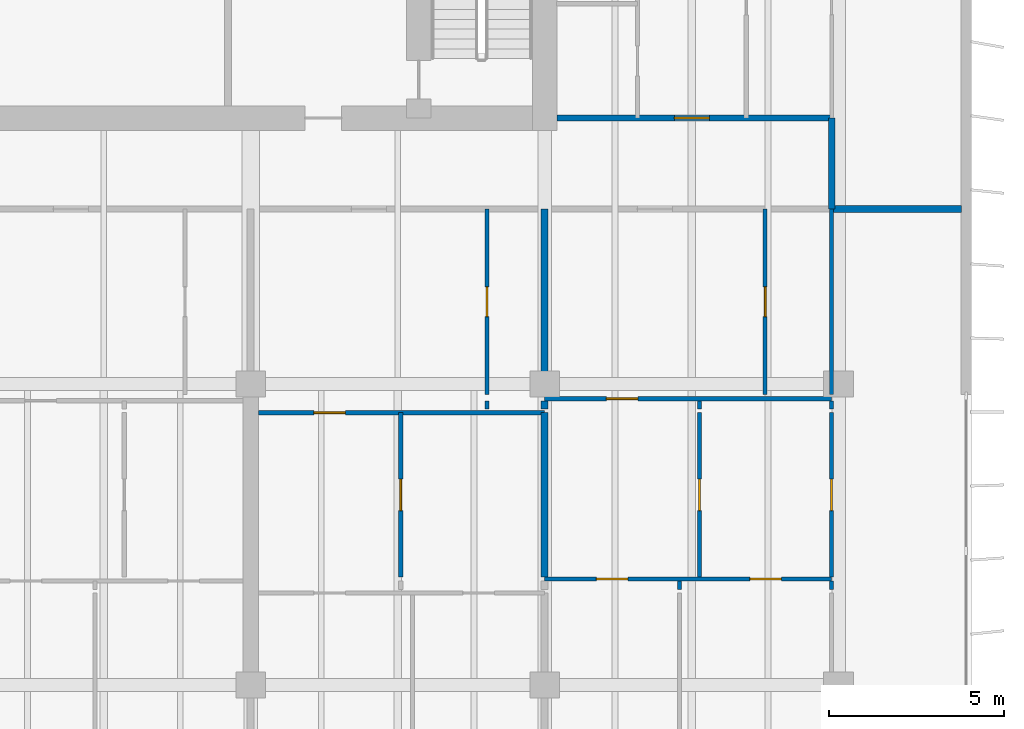
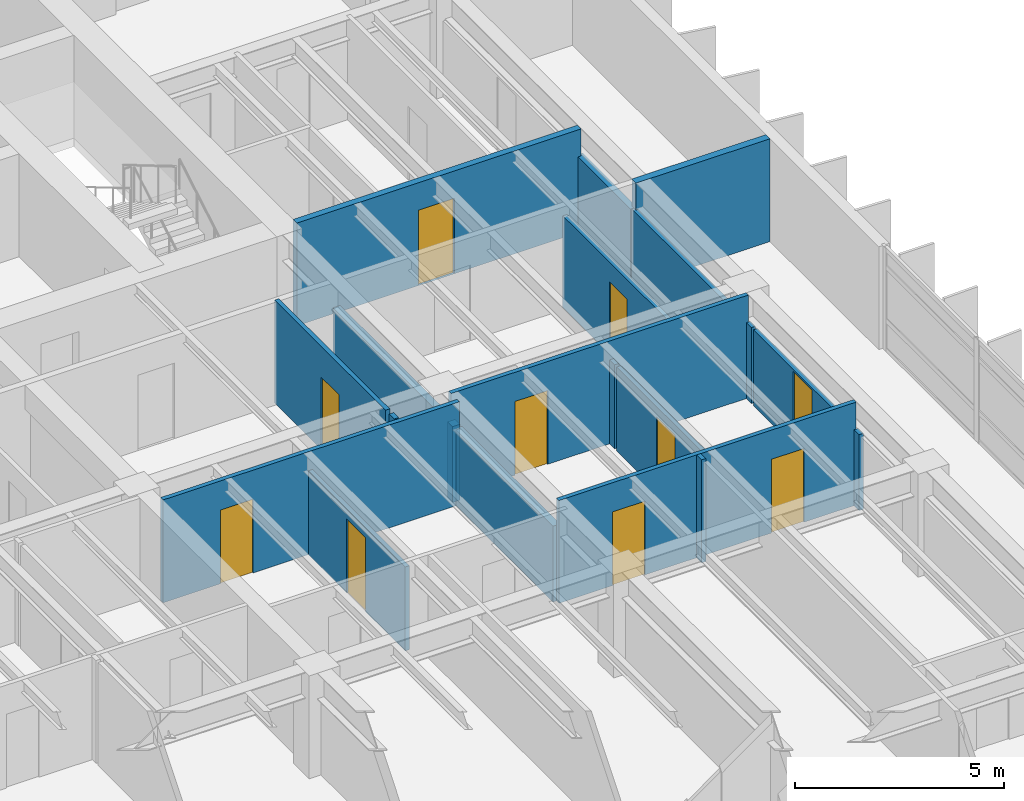
# One storey, part 12 of 19: 20 walls, 10 doors, 10 openings.
"""IFC4 building model written with IfcOpenShell, lengths in metres."""

from ifc_helpers import new_model, si_unit, direction, frame, frame_2d, origin, place, context, subcontext, project, spatial, rectangle, extrude, material, layer, layer_set, type_object, element, fill, save


model = new_model("IFC4")

# Units and contexts
model_context = context("Model", 3, precision=1e-05, world=origin(), true_north=direction((0.0, 1.0)))
body_context = subcontext(model_context, "Body", "Model", "MODEL_VIEW")
ifc_project = project(units=[si_unit("LENGTHUNIT", "METRE"), si_unit("AREAUNIT", "SQUARE_METRE"), si_unit("VOLUMEUNIT", "CUBIC_METRE"), si_unit("PLANEANGLEUNIT", "RADIAN"), si_unit("MASSUNIT", "GRAM", prefix="KILO")], contexts=[model_context])

# Site, building, storey
site_placement = place(None, origin())
site = spatial("IfcSite", under=ifc_project, at=site_placement, CompositionType="ELEMENT")
building_placement = place(site_placement, origin())
building = spatial("IfcBuilding", under=site, at=building_placement, Name="Caelmar Bay Residences", CompositionType="ELEMENT")
storey_placement = place(building_placement, frame((0.0, 0.0, 218.10009765625)))
storey = spatial("IfcBuildingStorey", under=building, at=storey_placement, Name="L61", CompositionType="ELEMENT", Elevation=218.10009765625)

# Wall
ifc_material_1 = material(Name="Double-stud acoustic fire-rated gypsum partition 180 mm")
ifc_layer_1 = layer(ifc_material_1, 0.179931640625)
ifc_layer_set_1 = layer_set([ifc_layer_1], Name="Double-stud acoustic fire-rated gypsum partition 180 mm")
wall_type_1 = type_object("IfcWallType", Name="W-COR-200", PredefinedType="PARTITIONING", material=ifc_layer_set_1)
wall_1_placement = place(storey_placement, frame((67.699951171875, 34.405029296875, 0.0), z_axis=(0.0, 0.0, 1.0), x_axis=(0.0, 1.0, 0.0)))
element("IfcWall", 1, at=wall_1_placement, inside=storey, type_object=wall_type_1, Name="L61 Partition Wall V101", PredefinedType="PARTITIONING", context=body_context, shape_type="SweptSolid", body=[
    extrude(rectangle(XDim=2.594970703125, YDim=0.179931640625, at=frame_2d((1.29736328125, 0.0))), origin(), (0.0, 0.0, 1.0), 2.212890625),
])

# Wall, opening, door
wall_2_placement = place(storey_placement, frame((59.85498046875, 37.0, 0.0), z_axis=(0.0, 0.0, 1.0), x_axis=(1.0, 0.0, 0.0)))
wall_2 = element("IfcWall", 2, at=wall_2_placement, inside=storey, type_object=wall_type_1, Name="L61 Partition Wall H131", PredefinedType="PARTITIONING", context=body_context, shape_type="SweptSolid", body=[
    extrude(rectangle(XDim=7.844970703125, YDim=0.179931640625, at=frame_2d((3.92236328125, 0.0))), origin(), (0.0, 0.0, 1.0), 3.0),
])
opening_1_placement = place(wall_2_placement, frame((3.34912109375, 0.0, 0.0)))
opening_1 = element("IfcOpeningElement", 3, at=opening_1_placement, cuts=wall_2, Name="Opening D-L61-178", PredefinedType="OPENING", context=body_context, shape_type="SweptSolid", body=[
    extrude(rectangle(XDim=1.0, YDim=2.199951171875, at=frame_2d((0.5, 1.10009765625))), frame((0.0, 0.099853515625, 0.0), z_axis=(0.0, -1.0, 0.0), x_axis=(1.0, 0.0, 0.0)), (0.0, 0.0, 1.0), 0.199951171875),
])
ifc_material_2 = material(Name="Fire-rated steel and walnut architectural door assembly", Category="steel")
ifc_layer_2 = layer(ifc_material_2, 0.050048828125)
ifc_layer_set_2 = layer_set([ifc_layer_2], Name="Fire-rated steel and walnut architectural door assembly")
door_type_1 = type_object("IfcDoorType", Name="D-UNIT-1000", OperationType="NOTDEFINED", PredefinedType="DOOR", material=ifc_layer_set_2)
door_1_placement = place(opening_1_placement, origin())
door_1 = element("IfcDoor", 4, at=door_1_placement, inside=storey, type_object=door_type_1, Name="L61 Residence EA Kitchen Door", OperationType="SINGLE_SWING_RIGHT", OverallHeight=2.199951171875, OverallWidth=1.0, PredefinedType="DOOR", context=body_context, shape_type="SweptSolid", body=[
    extrude(rectangle(XDim=1.0, YDim=2.199951171875, at=frame_2d((0.5, 1.10009765625))), frame((0.0, 0.02490234375, 0.0), z_axis=(0.0, -1.0, 0.0), x_axis=(1.0, 0.0, 0.0)), (0.0, 0.0, 1.0), 0.050048828125),
])
fill(opening_1, door_1)

ifc_material_3 = material(Name="Acoustic metal-stud gypsum partition 120 mm")
ifc_layer_3 = layer(ifc_material_3, 0.1201171875)
ifc_layer_set_3 = layer_set([ifc_layer_3], Name="Acoustic metal-stud gypsum partition 120 mm")
wall_type_2 = type_object("IfcWallType", Name="W-PRT-120", PredefinedType="PARTITIONING", material=ifc_layer_set_3)
wall_3_placement = place(storey_placement, frame((55.385986328125, 23.889892578125, 0.0), z_axis=(0.0, 0.0, 1.0), x_axis=(0.0, 1.0, 0.0)))
wall_3 = element("IfcWall", 5, at=wall_3_placement, inside=storey, type_object=wall_type_2, Name="L61 Partition Wall V076", PredefinedType="PARTITIONING", context=body_context, shape_type="SweptSolid", body=[
    extrude(rectangle(XDim=4.690185546875, YDim=0.1201171875, at=frame_2d((2.34521484375, 0.0))), origin(), (0.0, 0.0, 1.0), 2.448974609375),
])
opening_2_placement = place(wall_3_placement, frame((1.89501953125, 0.0, 0.0)))
opening_2 = element("IfcOpeningElement", 6, at=opening_2_placement, cuts=wall_3, Name="Opening D-L61-157", PredefinedType="OPENING", context=body_context, shape_type="SweptSolid", body=[
    extrude(rectangle(XDim=0.89990234375, YDim=2.14990234375, at=frame_2d((0.449951171875, 1.074951171875))), frame((0.0, 0.070068359375, 0.0), z_axis=(0.0, -1.0, 0.0), x_axis=(1.0, 0.0, 0.0)), (0.0, 0.0, 1.0), 0.14013671875),
])
ifc_material_4 = material(Name="Solid walnut timber interior door leaf and frame", Category="wood")
ifc_layer_4 = layer(ifc_material_4, 0.050048828125)
ifc_layer_set_4 = layer_set([ifc_layer_4], Name="Solid walnut timber interior door leaf and frame")
door_type_2 = type_object("IfcDoorType", Name="D-ROOM-900", OperationType="NOTDEFINED", PredefinedType="DOOR", material=ifc_layer_set_4)
door_2_placement = place(opening_2_placement, origin())
door_2 = element("IfcDoor", 7, at=door_2_placement, inside=storey, type_object=door_type_2, Name="L61 Residence 06 Curator Office Door", OperationType="SINGLE_SWING_LEFT", OverallHeight=2.14990234375, OverallWidth=0.89990234375, PredefinedType="DOOR", context=body_context, shape_type="SweptSolid", body=[
    extrude(rectangle(XDim=0.89990234375, YDim=2.14990234375, at=frame_2d((0.449951171875, 1.074951171875))), frame((0.0, 0.02490234375, 0.0), z_axis=(0.0, -1.0, 0.0), x_axis=(1.0, 0.0, 0.0)), (0.0, 0.0, 1.0), 0.050048828125),
])
fill(opening_2, door_2)

# Wall
wall_4_placement = place(storey_placement, frame((57.85009765625, 28.679931640625, 0.0), z_axis=(0.0, 0.0, 1.0), x_axis=(0.0, 1.0, 0.0)))
element("IfcWall", 8, at=wall_4_placement, inside=storey, type_object=wall_type_2, Name="L61 Partition Wall V080", PredefinedType="PARTITIONING", context=body_context, shape_type="SweptSolid", body=[
    extrude(rectangle(XDim=0.239990234375, YDim=0.1201171875, at=frame_2d((0.1201171875, 0.0))), origin(), (0.0, 0.0, 1.0), 3.0),
])

# Wall, opening, door
wall_5_placement = place(storey_placement, frame((57.85009765625, 29.10009765625, 0.0), z_axis=(0.0, 0.0, 1.0), x_axis=(0.0, 1.0, 0.0)))
wall_5 = element("IfcWall", 9, at=wall_5_placement, inside=storey, type_object=wall_type_2, Name="L61 Partition Wall V081", PredefinedType="PARTITIONING", context=body_context, shape_type="SweptSolid", body=[
    extrude(rectangle(XDim=5.2998046875, YDim=0.1201171875, at=frame_2d((2.64990234375, 0.0))), origin(), (0.0, 0.0, 1.0), 3.0),
])
opening_3_placement = place(wall_5_placement, frame((2.22509765625, 0.0, 0.0)))
opening_3 = element("IfcOpeningElement", 10, at=opening_3_placement, cuts=wall_5, Name="Opening D-L61-155", PredefinedType="OPENING", context=body_context, shape_type="SweptSolid", body=[
    extrude(rectangle(XDim=0.85009765625, YDim=2.10009765625, at=frame_2d((0.425048828125, 1.050048828125))), frame((0.0, 0.070068359375, 0.0), z_axis=(0.0, -1.0, 0.0), x_axis=(1.0, 0.0, 0.0)), (0.0, 0.0, 1.0), 0.14013671875),
])
ifc_layer_5 = layer(ifc_material_4, 0.050048828125)
ifc_layer_set_5 = layer_set([ifc_layer_5], Name="Solid walnut timber interior door leaf and frame")
door_type_3 = type_object("IfcDoorType", Name="D-BATH-850", OperationType="NOTDEFINED", PredefinedType="DOOR", material=ifc_layer_set_5)
door_3_placement = place(opening_3_placement, origin())
door_3 = element("IfcDoor", 11, at=door_3_placement, inside=storey, type_object=door_type_3, Name="L61 Residence 06 Bathroom Door", OperationType="SINGLE_SWING_LEFT", OverallHeight=2.10009765625, OverallWidth=0.85009765625, PredefinedType="DOOR", context=body_context, shape_type="SweptSolid", body=[
    extrude(rectangle(XDim=0.85009765625, YDim=2.10009765625, at=frame_2d((0.425048828125, 1.050048828125))), frame((0.0, 0.02490234375, 0.0), z_axis=(0.0, -1.0, 0.0), x_axis=(1.0, 0.0, 0.0)), (0.0, 0.0, 1.0), 0.050048828125),
])
fill(opening_3, door_3)

# Wall
wall_6_placement = place(storey_placement, frame((63.35400390625, 23.530029296875, 0.0), z_axis=(0.0, 0.0, 1.0), x_axis=(0.0, 1.0, 0.0)))
element("IfcWall", 12, at=wall_6_placement, inside=storey, type_object=wall_type_2, Name="L61 Partition Wall V091", PredefinedType="PARTITIONING", context=body_context, shape_type="SweptSolid", body=[
    extrude(rectangle(XDim=0.239990234375, YDim=0.1201171875, at=frame_2d((0.1201171875, 0.0))), origin(), (0.0, 0.0, 1.0), 3.0),
])

# Wall, opening, door
wall_7_placement = place(storey_placement, frame((63.927978515625, 23.889892578125, 0.0), z_axis=(0.0, 0.0, 1.0), x_axis=(0.0, 1.0, 0.0)))
wall_7 = element("IfcWall", 13, at=wall_7_placement, inside=storey, type_object=wall_type_2, Name="L61 Partition Wall V092", PredefinedType="PARTITIONING", context=body_context, shape_type="SweptSolid", body=[
    extrude(rectangle(XDim=4.690185546875, YDim=0.1201171875, at=frame_2d((2.34521484375, 0.0))), origin(), (0.0, 0.0, 1.0), 2.448974609375),
])
opening_4_placement = place(wall_7_placement, frame((1.89501953125, 0.0, 0.0)))
opening_4 = element("IfcOpeningElement", 14, at=opening_4_placement, cuts=wall_7, Name="Opening D-L61-164", PredefinedType="OPENING", context=body_context, shape_type="SweptSolid", body=[
    extrude(rectangle(XDim=0.89990234375, YDim=2.14990234375, at=frame_2d((0.449951171875, 1.074951171875))), frame((0.0, 0.070068359375, 0.0), z_axis=(0.0, -1.0, 0.0), x_axis=(1.0, 0.0, 0.0)), (0.0, 0.0, 1.0), 0.14013671875),
])
door_4_placement = place(opening_4_placement, origin())
door_4 = element("IfcDoor", 15, at=door_4_placement, inside=storey, type_object=door_type_2, Name="L61 Residence 07 Curator Office Door", OperationType="SINGLE_SWING_RIGHT", OverallHeight=2.14990234375, OverallWidth=0.89990234375, PredefinedType="DOOR", context=body_context, shape_type="SweptSolid", body=[
    extrude(rectangle(XDim=0.89990234375, YDim=2.14990234375, at=frame_2d((0.449951171875, 1.074951171875))), frame((0.0, 0.02490234375, 0.0), z_axis=(0.0, -1.0, 0.0), x_axis=(1.0, 0.0, 0.0)), (0.0, 0.0, 1.0), 0.050048828125),
])
fill(opening_4, door_4)

# Wall
wall_8_placement = place(storey_placement, frame((63.927978515625, 28.679931640625, 0.0), z_axis=(0.0, 0.0, 1.0), x_axis=(0.0, 1.0, 0.0)))
element("IfcWall", 16, at=wall_8_placement, inside=storey, type_object=wall_type_2, Name="L61 Partition Wall V093", PredefinedType="PARTITIONING", context=body_context, shape_type="SweptSolid", body=[
    extrude(rectangle(XDim=0.239990234375, YDim=0.1201171875, at=frame_2d((0.1201171875, 0.0))), origin(), (0.0, 0.0, 1.0), 2.448974609375),
])

# Wall, opening, door
wall_9_placement = place(storey_placement, frame((65.800048828125, 29.10009765625, 0.0), z_axis=(0.0, 0.0, 1.0), x_axis=(0.0, 1.0, 0.0)))
wall_9 = element("IfcWall", 17, at=wall_9_placement, inside=storey, type_object=wall_type_2, Name="L61 Partition Wall V095", PredefinedType="PARTITIONING", context=body_context, shape_type="SweptSolid", body=[
    extrude(rectangle(XDim=5.2998046875, YDim=0.1201171875, at=frame_2d((2.64990234375, 0.0))), origin(), (0.0, 0.0, 1.0), 2.6748046875),
])
opening_5_placement = place(wall_9_placement, frame((2.22509765625, 0.0, 0.0)))
opening_5 = element("IfcOpeningElement", 18, at=opening_5_placement, cuts=wall_9, Name="Opening D-L61-162", PredefinedType="OPENING", context=body_context, shape_type="SweptSolid", body=[
    extrude(rectangle(XDim=0.85009765625, YDim=2.10009765625, at=frame_2d((0.425048828125, 1.050048828125))), frame((0.0, 0.070068359375, 0.0), z_axis=(0.0, -1.0, 0.0), x_axis=(1.0, 0.0, 0.0)), (0.0, 0.0, 1.0), 0.14013671875),
])
door_5_placement = place(opening_5_placement, origin())
door_5 = element("IfcDoor", 19, at=door_5_placement, inside=storey, type_object=door_type_3, Name="L61 Residence 07 Bathroom Door", OperationType="SINGLE_SWING_RIGHT", OverallHeight=2.10009765625, OverallWidth=0.85009765625, PredefinedType="DOOR", context=body_context, shape_type="SweptSolid", body=[
    extrude(rectangle(XDim=0.85009765625, YDim=2.10009765625, at=frame_2d((0.425048828125, 1.050048828125))), frame((0.0, 0.02490234375, 0.0), z_axis=(0.0, -1.0, 0.0), x_axis=(1.0, 0.0, 0.0)), (0.0, 0.0, 1.0), 0.050048828125),
])
fill(opening_5, door_5)

# Wall
wall_10_placement = place(storey_placement, frame((67.699951171875, 23.530029296875, 0.0), z_axis=(0.0, 0.0, 1.0), x_axis=(0.0, 1.0, 0.0)))
element("IfcWall", 20, at=wall_10_placement, inside=storey, type_object=wall_type_2, Name="L61 Partition Wall V097", PredefinedType="PARTITIONING", context=body_context, shape_type="SweptSolid", body=[
    extrude(rectangle(XDim=0.239990234375, YDim=0.1201171875, at=frame_2d((0.1201171875, 0.0))), origin(), (0.0, 0.0, 1.0), 2.212890625),
])

# Wall, opening, door
wall_11_placement = place(storey_placement, frame((67.699951171875, 23.889892578125, 0.0), z_axis=(0.0, 0.0, 1.0), x_axis=(0.0, 1.0, 0.0)))
wall_11 = element("IfcWall", 21, at=wall_11_placement, inside=storey, type_object=wall_type_2, Name="L61 Partition Wall V098", PredefinedType="PARTITIONING", context=body_context, shape_type="SweptSolid", body=[
    extrude(rectangle(XDim=4.690185546875, YDim=0.1201171875, at=frame_2d((2.34521484375, 0.0))), origin(), (0.0, 0.0, 1.0), 2.212890625),
])
opening_6_placement = place(wall_11_placement, frame((1.89501953125, 0.0, 0.0)))
opening_6 = element("IfcOpeningElement", 22, at=opening_6_placement, cuts=wall_11, Name="Opening D-L61-169", PredefinedType="OPENING", context=body_context, shape_type="SweptSolid", body=[
    extrude(rectangle(XDim=0.89990234375, YDim=2.14990234375, at=frame_2d((0.449951171875, 1.074951171875))), frame((0.0, 0.070068359375, 0.0), z_axis=(0.0, -1.0, 0.0), x_axis=(1.0, 0.0, 0.0)), (0.0, 0.0, 1.0), 0.14013671875),
])
door_6_placement = place(opening_6_placement, origin())
door_6 = element("IfcDoor", 23, at=door_6_placement, inside=storey, type_object=door_type_2, Name="L61 Residence 07 Penthouse East Salon Door", OperationType="SINGLE_SWING_LEFT", OverallHeight=2.14990234375, OverallWidth=0.89990234375, PredefinedType="DOOR", context=body_context, shape_type="SweptSolid", body=[
    extrude(rectangle(XDim=0.89990234375, YDim=2.14990234375, at=frame_2d((0.449951171875, 1.074951171875))), frame((0.0, 0.02490234375, 0.0), z_axis=(0.0, -1.0, 0.0), x_axis=(1.0, 0.0, 0.0)), (0.0, 0.0, 1.0), 0.050048828125),
])
fill(opening_6, door_6)

# Walls
wall_12_placement = place(storey_placement, frame((67.699951171875, 28.679931640625, 0.0), z_axis=(0.0, 0.0, 1.0), x_axis=(0.0, 1.0, 0.0)))
element("IfcWall", 24, at=wall_12_placement, inside=storey, type_object=wall_type_2, Name="L61 Partition Wall V099", PredefinedType="PARTITIONING", context=body_context, shape_type="SweptSolid", body=[
    extrude(rectangle(XDim=0.239990234375, YDim=0.1201171875, at=frame_2d((0.1201171875, 0.0))), origin(), (0.0, 0.0, 1.0), 2.212890625),
])
wall_13_placement = place(storey_placement, frame((67.699951171875, 29.10009765625, 0.0), z_axis=(0.0, 0.0, 1.0), x_axis=(0.0, 1.0, 0.0)))
element("IfcWall", 25, at=wall_13_placement, inside=storey, type_object=wall_type_2, Name="L61 Partition Wall V100", PredefinedType="PARTITIONING", context=body_context, shape_type="SweptSolid", body=[
    extrude(rectangle(XDim=5.2998046875, YDim=0.1201171875, at=frame_2d((2.64990234375, 0.0))), origin(), (0.0, 0.0, 1.0), 2.212890625),
])

# Wall, openings, doors
wall_14_placement = place(storey_placement, frame((59.5, 23.830078125, 0.0), z_axis=(0.0, 0.0, 1.0), x_axis=(1.0, 0.0, 0.0)))
wall_14 = element("IfcWall", 26, at=wall_14_placement, inside=storey, type_object=wall_type_2, Name="L61 Partition Wall H116", PredefinedType="PARTITIONING", context=body_context, shape_type="SweptSolid", body=[
    extrude(rectangle(XDim=8.199951171875, YDim=0.1201171875, at=frame_2d((4.10009765625, 0.0))), origin(), (0.0, 0.0, 1.0), 3.0),
])
opening_7_placement = place(wall_14_placement, frame((1.47705078125, 0.0, 0.0)))
opening_7 = element("IfcOpeningElement", 27, at=opening_7_placement, cuts=wall_14, Name="Opening D-L61-165", PredefinedType="OPENING", context=body_context, shape_type="SweptSolid", body=[
    extrude(rectangle(XDim=0.89990234375, YDim=2.14990234375, at=frame_2d((0.449951171875, 1.074951171875))), frame((0.0, 0.070068359375, 0.0), z_axis=(0.0, -1.0, 0.0), x_axis=(1.0, 0.0, 0.0)), (0.0, 0.0, 1.0), 0.14013671875),
])
opening_8_placement = place(wall_14_placement, frame((5.864013671875, 0.0, 0.0)))
opening_8 = element("IfcOpeningElement", 28, at=opening_8_placement, cuts=wall_14, Name="Opening D-L61-166", PredefinedType="OPENING", context=body_context, shape_type="SweptSolid", body=[
    extrude(rectangle(XDim=0.89990234375, YDim=2.14990234375, at=frame_2d((0.449951171875, 1.074951171875))), frame((0.0, 0.070068359375, 0.0), z_axis=(0.0, -1.0, 0.0), x_axis=(1.0, 0.0, 0.0)), (0.0, 0.0, 1.0), 0.14013671875),
])
door_7_placement = place(opening_7_placement, origin())
door_7 = element("IfcDoor", 29, at=door_7_placement, inside=storey, type_object=door_type_2, Name="L61 Residence 07 Living Room Door", OperationType="SINGLE_SWING_LEFT", OverallHeight=2.14990234375, OverallWidth=0.89990234375, PredefinedType="DOOR", context=body_context, shape_type="SweptSolid", body=[
    extrude(rectangle(XDim=0.89990234375, YDim=2.14990234375, at=frame_2d((0.449951171875, 1.074951171875))), frame((0.0, 0.02490234375, 0.0), z_axis=(0.0, -1.0, 0.0), x_axis=(1.0, 0.0, 0.0)), (0.0, 0.0, 1.0), 0.050048828125),
])
fill(opening_7, door_7)
door_8_placement = place(opening_8_placement, origin())
door_8 = element("IfcDoor", 30, at=door_8_placement, inside=storey, type_object=door_type_2, Name="L61 Residence 07 Penthouse Sitting Room Door", OperationType="SINGLE_SWING_RIGHT", OverallHeight=2.14990234375, OverallWidth=0.89990234375, PredefinedType="DOOR", context=body_context, shape_type="SweptSolid", body=[
    extrude(rectangle(XDim=0.89990234375, YDim=2.14990234375, at=frame_2d((0.449951171875, 1.074951171875))), frame((0.0, 0.02490234375, 0.0), z_axis=(0.0, -1.0, 0.0), x_axis=(1.0, 0.0, 0.0)), (0.0, 0.0, 1.0), 0.050048828125),
])
fill(opening_8, door_8)

# Wall, opening, door
wall_15_placement = place(storey_placement, frame((51.320068359375, 28.580078125, 0.0), z_axis=(0.0, 0.0, 1.0), x_axis=(1.0, 0.0, 0.0)))
wall_15 = element("IfcWall", 31, at=wall_15_placement, inside=storey, type_object=wall_type_2, Name="L61 Partition Wall H118", PredefinedType="PARTITIONING", context=body_context, shape_type="SweptSolid", body=[
    extrude(rectangle(XDim=8.179931640625, YDim=0.1201171875, at=frame_2d((4.08984375, 0.0))), origin(), (0.0, 0.0, 1.0), 3.0),
])
opening_9_placement = place(wall_15_placement, frame((1.5830078125, 0.0, 0.0)))
opening_9 = element("IfcOpeningElement", 32, at=opening_9_placement, cuts=wall_15, Name="Opening D-L61-156", PredefinedType="OPENING", context=body_context, shape_type="SweptSolid", body=[
    extrude(rectangle(XDim=0.89990234375, YDim=2.14990234375, at=frame_2d((0.449951171875, 1.074951171875))), frame((0.0, 0.070068359375, 0.0), z_axis=(0.0, -1.0, 0.0), x_axis=(1.0, 0.0, 0.0)), (0.0, 0.0, 1.0), 0.14013671875),
])
door_9_placement = place(opening_9_placement, origin())
door_9 = element("IfcDoor", 33, at=door_9_placement, inside=storey, type_object=door_type_2, Name="L61 Residence 06 Kitchen Door", OperationType="SINGLE_SWING_RIGHT", OverallHeight=2.14990234375, OverallWidth=0.89990234375, PredefinedType="DOOR", context=body_context, shape_type="SweptSolid", body=[
    extrude(rectangle(XDim=0.89990234375, YDim=2.14990234375, at=frame_2d((0.449951171875, 1.074951171875))), frame((0.0, 0.02490234375, 0.0), z_axis=(0.0, -1.0, 0.0), x_axis=(1.0, 0.0, 0.0)), (0.0, 0.0, 1.0), 0.050048828125),
])
fill(opening_9, door_9)

wall_16_placement = place(storey_placement, frame((59.5, 28.97998046875, 0.0), z_axis=(0.0, 0.0, 1.0), x_axis=(1.0, 0.0, 0.0)))
wall_16 = element("IfcWall", 34, at=wall_16_placement, inside=storey, type_object=wall_type_2, Name="L61 Partition Wall H124", PredefinedType="PARTITIONING", context=body_context, shape_type="SweptSolid", body=[
    extrude(rectangle(XDim=8.199951171875, YDim=0.1201171875, at=frame_2d((4.10009765625, 0.0))), origin(), (0.0, 0.0, 1.0), 3.0),
])
opening_10_placement = place(wall_16_placement, frame((1.763916015625, 0.0, 0.0)))
opening_10 = element("IfcOpeningElement", 35, at=opening_10_placement, cuts=wall_16, Name="Opening D-L61-163", PredefinedType="OPENING", context=body_context, shape_type="SweptSolid", body=[
    extrude(rectangle(XDim=0.89990234375, YDim=2.14990234375, at=frame_2d((0.449951171875, 1.074951171875))), frame((0.0, 0.070068359375, 0.0), z_axis=(0.0, -1.0, 0.0), x_axis=(1.0, 0.0, 0.0)), (0.0, 0.0, 1.0), 0.14013671875),
])
door_10_placement = place(opening_10_placement, origin())
door_10 = element("IfcDoor", 36, at=door_10_placement, inside=storey, type_object=door_type_2, Name="L61 Residence 07 Kitchen Door", OperationType="SINGLE_SWING_LEFT", OverallHeight=2.14990234375, OverallWidth=0.89990234375, PredefinedType="DOOR", context=body_context, shape_type="SweptSolid", body=[
    extrude(rectangle(XDim=0.89990234375, YDim=2.14990234375, at=frame_2d((0.449951171875, 1.074951171875))), frame((0.0, 0.02490234375, 0.0), z_axis=(0.0, -1.0, 0.0), x_axis=(1.0, 0.0, 0.0)), (0.0, 0.0, 1.0), 0.050048828125),
])
fill(opening_10, door_10)

# Walls
ifc_material_5 = material(Name="Acoustic twin-stud fire-rated inter-tenancy partition 200 mm")
ifc_layer_6 = layer(ifc_material_5, 0.199951171875)
ifc_layer_set_6 = layer_set([ifc_layer_6], Name="Acoustic twin-stud fire-rated inter-tenancy partition 200 mm")
wall_type_3 = type_object("IfcWallType", Name="W-PTY-200", PredefinedType="PARTITIONING", material=ifc_layer_set_6)
wall_17_placement = place(storey_placement, frame((59.5, 23.889892578125, 0.0), z_axis=(0.0, 0.0, 1.0), x_axis=(0.0, 1.0, 0.0)))
element("IfcWall", 37, at=wall_17_placement, inside=storey, type_object=wall_type_3, Name="L61 Partition Wall V085", PredefinedType="PARTITIONING", context=body_context, shape_type="SweptSolid", body=[
    extrude(rectangle(XDim=4.690185546875, YDim=0.199951171875, at=frame_2d((2.34521484375, 0.0))), origin(), (0.0, 0.0, 1.0), 2.212890625),
])
wall_18_placement = place(storey_placement, frame((59.5, 28.679931640625, 0.0), z_axis=(0.0, 0.0, 1.0), x_axis=(0.0, 1.0, 0.0)))
element("IfcWall", 38, at=wall_18_placement, inside=storey, type_object=wall_type_3, Name="L61 Partition Wall V086", PredefinedType="PARTITIONING", context=body_context, shape_type="SweptSolid", body=[
    extrude(rectangle(XDim=0.239990234375, YDim=0.199951171875, at=frame_2d((0.1201171875, 0.0))), origin(), (0.0, 0.0, 1.0), 2.212890625),
])
wall_19_placement = place(storey_placement, frame((59.5, 29.10009765625, 0.0), z_axis=(0.0, 0.0, 1.0), x_axis=(0.0, 1.0, 0.0)))
element("IfcWall", 39, at=wall_19_placement, inside=storey, type_object=wall_type_3, Name="L61 Partition Wall V087", PredefinedType="PARTITIONING", context=body_context, shape_type="SweptSolid", body=[
    extrude(rectangle(XDim=5.2998046875, YDim=0.199951171875, at=frame_2d((2.64990234375, 0.0))), origin(), (0.0, 0.0, 1.0), 2.212890625),
])
wall_20_placement = place(storey_placement, frame((67.705078125, 34.39990234375, 0.0), z_axis=(0.0, 0.0, 1.0), x_axis=(1.0, 0.0, 0.0)))
element("IfcWall", 40, at=wall_20_placement, inside=storey, type_object=wall_type_3, Name="L61 Partition Wall H129", PredefinedType="PARTITIONING", context=body_context, shape_type="SweptSolid", body=[
    extrude(rectangle(XDim=3.699951171875, YDim=0.199951171875, at=frame_2d((1.85009765625, 0.0))), origin(), (0.0, 0.0, 1.0), 3.0),
])

save(model, "model.ifc")
